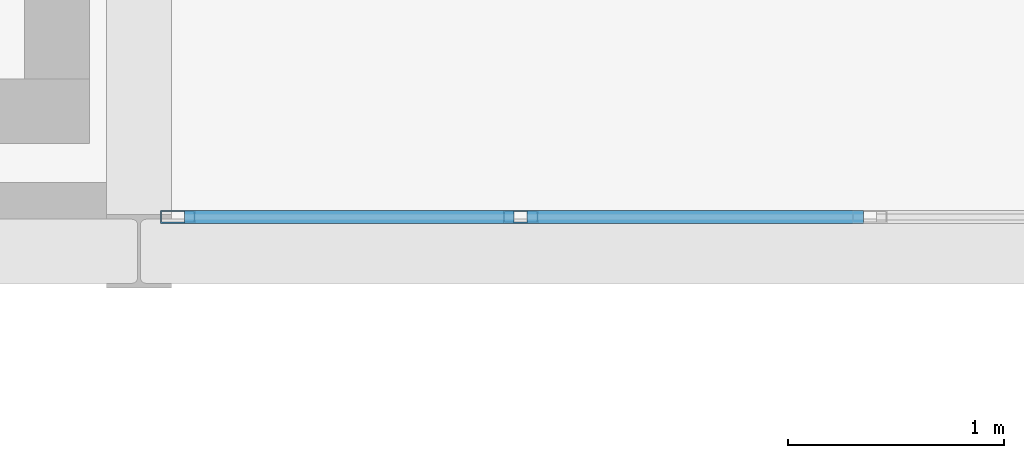
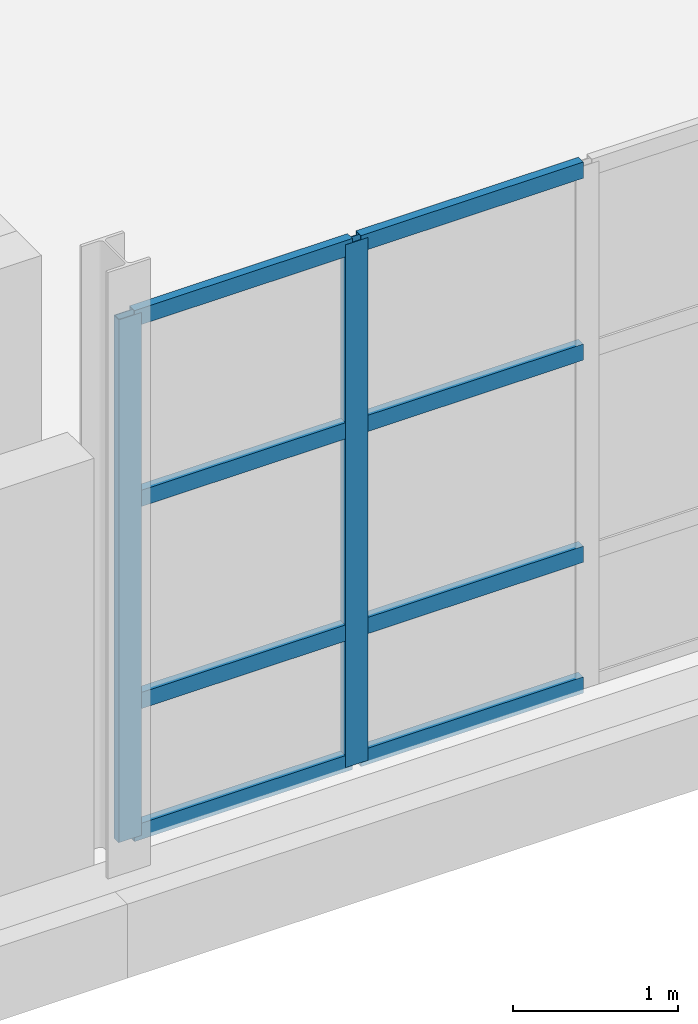
# One storey, part 44 of 103: 10 members, 1 element without a shape of its own.
"""IFC4 building model written with IfcOpenShell, lengths in metres."""

from ifc_helpers import new_model, si_unit, direction, frame, origin, origin_2d, place, context, subcontext, project, spatial, hollow_rectangle, extrude, material, material_profile, profile_set, type_object, element, aggregate, save


model = new_model("IFC4")

# Units and contexts
model_context = context("Model", 3, precision=1e-05, world=origin(), true_north=direction((0.0, 1.0)))
body_context = subcontext(model_context, "Body", "Model", "MODEL_VIEW")
ifc_project = project(units=[si_unit("LENGTHUNIT", "METRE"), si_unit("AREAUNIT", "SQUARE_METRE"), si_unit("VOLUMEUNIT", "CUBIC_METRE"), si_unit("PLANEANGLEUNIT", "RADIAN"), si_unit("MASSUNIT", "GRAM", prefix="KILO")], contexts=[model_context])

# Site, building, storey
site_placement = place(None, origin())
site = spatial("IfcSite", under=ifc_project, at=site_placement, CompositionType="ELEMENT")
building_placement = place(site_placement, origin())
building = spatial("IfcBuilding", under=site, at=building_placement, Name="Veltarok Museum of Natural Sciences", CompositionType="ELEMENT")
storey_placement = place(building_placement, frame((0.0, 0.0, 21.89990234375)))
storey = spatial("IfcBuildingStorey", under=building, at=storey_placement, Name="L04", CompositionType="ELEMENT", Elevation=21.89990234375)

# Curtain wall, members
ifc_material_1 = material(Name="Low-iron triple insulated glass", Category="glass")
curtain_wall_type = type_object("IfcCurtainWallType", Name="Curtain Wall System CW-V5S-L04-14-810x388 (V5 South Lab Curtain Wall L04 14-15 810x388cm)", PredefinedType="NOTDEFINED", material=ifc_material_1)
curtain_wall_placement = place(storey_placement, origin())
curtain_wall = element("IfcCurtainWall", 1, at=curtain_wall_placement, inside=storey, type_object=curtain_wall_type, Name="Curtain Wall CW-V5S-L04-14-810x388 CW-0096", PredefinedType="NOTDEFINED")
ifc_material_2 = material(Name="Thermally broken anodised aluminium", Category="aluminium")
ifc_material_profile_1 = material_profile(ifc_material_2, hollow_rectangle(XDim=0.06005859375, YDim=0.1201171875, WallThickness=0.0048828125, at=origin_2d()), Name="CW TRANSOM 60x120x5")
ifc_profile_set_1 = profile_set([ifc_material_profile_1], Name="Thermally broken anodised aluminium")
member_type_1 = type_object("IfcMemberType", Name="Curtain Wall Horizontal Transom 60x120x5", PredefinedType="USERDEFINED", material=ifc_profile_set_1)
member_1_placement = place(storey_placement, frame((115.81005859375, 0.159912109375, 0.030029296875), z_axis=(1.0, 0.0, 0.0), x_axis=(0.0, 1.0, 0.0)))
member_1 = element("IfcMember", 2, at=member_1_placement, type_object=member_type_1, Name="CW-V5S-L04-14-810x388 transom 1.1", ObjectType="TRANSOM", PredefinedType="USERDEFINED", context=body_context, shape_type="SweptSolid", body=[
    extrude(hollow_rectangle(XDim=0.06005859375, YDim=0.1201171875, WallThickness=0.0048828125, at=origin_2d()), origin(), (0.0, 0.0, 1.0), 1.530029296875),
])
member_2_placement = place(storey_placement, frame((115.81005859375, 0.159912109375, 1.0), z_axis=(1.0, 0.0, 0.0), x_axis=(0.0, 1.0, 0.0)))
member_2 = element("IfcMember", 3, at=member_2_placement, type_object=member_type_1, Name="CW-V5S-L04-14-810x388 transom 1.2", ObjectType="TRANSOM", PredefinedType="USERDEFINED", context=body_context, shape_type="SweptSolid", body=[
    extrude(hollow_rectangle(XDim=0.06005859375, YDim=0.1201171875, WallThickness=0.0048828125, at=origin_2d()), origin(), (0.0, 0.0, 1.0), 1.530029296875),
])
member_3_placement = place(storey_placement, frame((115.81005859375, 0.159912109375, 2.5), z_axis=(1.0, 0.0, 0.0), x_axis=(0.0, 1.0, 0.0)))
member_3 = element("IfcMember", 4, at=member_3_placement, type_object=member_type_1, Name="CW-V5S-L04-14-810x388 transom 1.3", ObjectType="TRANSOM", PredefinedType="USERDEFINED", context=body_context, shape_type="SweptSolid", body=[
    extrude(hollow_rectangle(XDim=0.06005859375, YDim=0.1201171875, WallThickness=0.0048828125, at=origin_2d()), origin(), (0.0, 0.0, 1.0), 1.530029296875),
])
member_4_placement = place(storey_placement, frame((115.81005859375, 0.159912109375, 3.85009765625), z_axis=(1.0, 0.0, 0.0), x_axis=(0.0, 1.0, 0.0)))
member_4 = element("IfcMember", 5, at=member_4_placement, type_object=member_type_1, Name="CW-V5S-L04-14-810x388 transom 1.4", ObjectType="TRANSOM", PredefinedType="USERDEFINED", context=body_context, shape_type="SweptSolid", body=[
    extrude(hollow_rectangle(XDim=0.06005859375, YDim=0.1201171875, WallThickness=0.0048828125, at=origin_2d()), origin(), (0.0, 0.0, 1.0), 1.530029296875),
])
member_5_placement = place(storey_placement, frame((117.39990234375, 0.159912109375, 0.030029296875), z_axis=(1.0, 0.0, 0.0), x_axis=(0.0, 1.0, 0.0)))
member_5 = element("IfcMember", 6, at=member_5_placement, type_object=member_type_1, Name="CW-V5S-L04-14-810x388 transom 2.1", ObjectType="TRANSOM", PredefinedType="USERDEFINED", context=body_context, shape_type="SweptSolid", body=[
    extrude(hollow_rectangle(XDim=0.06005859375, YDim=0.1201171875, WallThickness=0.0048828125, at=origin_2d()), origin(), (0.0, 0.0, 1.0), 1.56005859375),
])
member_6_placement = place(storey_placement, frame((117.39990234375, 0.159912109375, 1.0), z_axis=(1.0, 0.0, 0.0), x_axis=(0.0, 1.0, 0.0)))
member_6 = element("IfcMember", 7, at=member_6_placement, type_object=member_type_1, Name="CW-V5S-L04-14-810x388 transom 2.2", ObjectType="TRANSOM", PredefinedType="USERDEFINED", context=body_context, shape_type="SweptSolid", body=[
    extrude(hollow_rectangle(XDim=0.06005859375, YDim=0.1201171875, WallThickness=0.0048828125, at=origin_2d()), origin(), (0.0, 0.0, 1.0), 1.56005859375),
])
member_7_placement = place(storey_placement, frame((117.39990234375, 0.159912109375, 2.5), z_axis=(1.0, 0.0, 0.0), x_axis=(0.0, 1.0, 0.0)))
member_7 = element("IfcMember", 8, at=member_7_placement, type_object=member_type_1, Name="CW-V5S-L04-14-810x388 transom 2.3", ObjectType="TRANSOM", PredefinedType="USERDEFINED", context=body_context, shape_type="SweptSolid", body=[
    extrude(hollow_rectangle(XDim=0.06005859375, YDim=0.1201171875, WallThickness=0.0048828125, at=origin_2d()), origin(), (0.0, 0.0, 1.0), 1.56005859375),
])
member_8_placement = place(storey_placement, frame((117.39990234375, 0.159912109375, 3.85009765625), z_axis=(1.0, 0.0, 0.0), x_axis=(0.0, 1.0, 0.0)))
member_8 = element("IfcMember", 9, at=member_8_placement, type_object=member_type_1, Name="CW-V5S-L04-14-810x388 transom 2.4", ObjectType="TRANSOM", PredefinedType="USERDEFINED", context=body_context, shape_type="SweptSolid", body=[
    extrude(hollow_rectangle(XDim=0.06005859375, YDim=0.1201171875, WallThickness=0.0048828125, at=origin_2d()), origin(), (0.0, 0.0, 1.0), 1.56005859375),
])
ifc_material_profile_2 = material_profile(ifc_material_2, hollow_rectangle(XDim=0.06005859375, YDim=0.159912109375, WallThickness=0.0048828125, at=origin_2d()), Name="CW MULLION 60x160x5")
ifc_profile_set_2 = profile_set([ifc_material_profile_2], Name="Thermally broken anodised aluminium")
member_type_2 = type_object("IfcMemberType", Name="Curtain Wall Vertical Mullion 60x160x5", PredefinedType="MULLION", material=ifc_profile_set_2)
member_9_placement = place(storey_placement, frame((115.780029296875, 0.159912109375, 0.0), z_axis=(0.0, 0.0, 1.0), x_axis=(0.0, 1.0, 0.0)))
member_9 = element("IfcMember", 10, at=member_9_placement, type_object=member_type_2, Name="CW-V5S-L04-14-810x388 mullion 1", PredefinedType="MULLION", context=body_context, shape_type="SweptSolid", body=[
    extrude(hollow_rectangle(XDim=0.06005859375, YDim=0.159912109375, WallThickness=0.0048828125, at=origin_2d()), origin(), (0.0, 0.0, 1.0), 3.880126953125),
])
member_10_placement = place(storey_placement, frame((117.3701171875, 0.159912109375, 0.0), z_axis=(0.0, 0.0, 1.0), x_axis=(0.0, 1.0, 0.0)))
member_10 = element("IfcMember", 11, at=member_10_placement, type_object=member_type_2, Name="CW-V5S-L04-14-810x388 mullion 2", PredefinedType="MULLION", context=body_context, shape_type="SweptSolid", body=[
    extrude(hollow_rectangle(XDim=0.06005859375, YDim=0.159912109375, WallThickness=0.0048828125, at=origin_2d()), origin(), (0.0, 0.0, 1.0), 3.880126953125),
])
aggregate(curtain_wall, [member_9, member_10, member_1, member_2, member_3, member_4, member_5, member_6, member_7, member_8])

save(model, "model.ifc")
